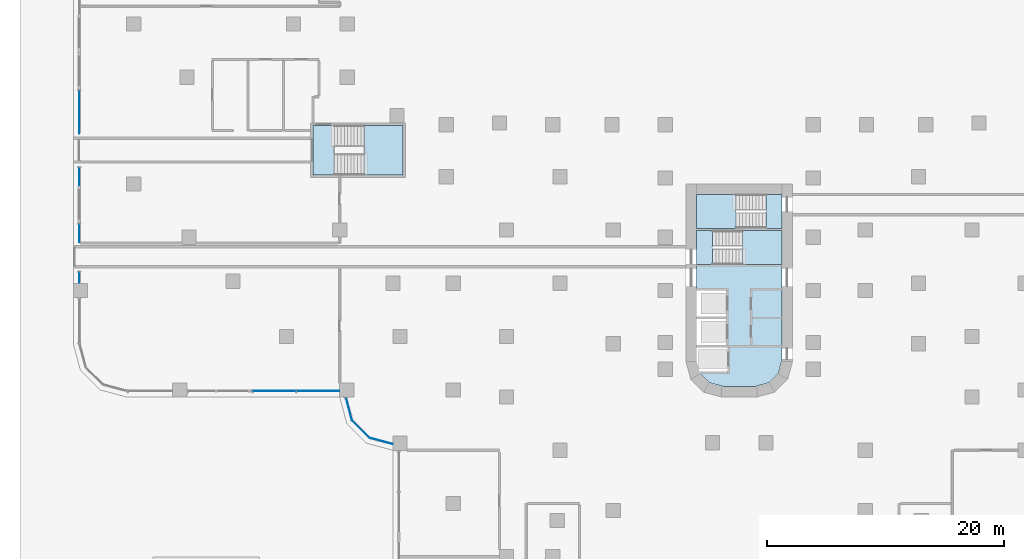
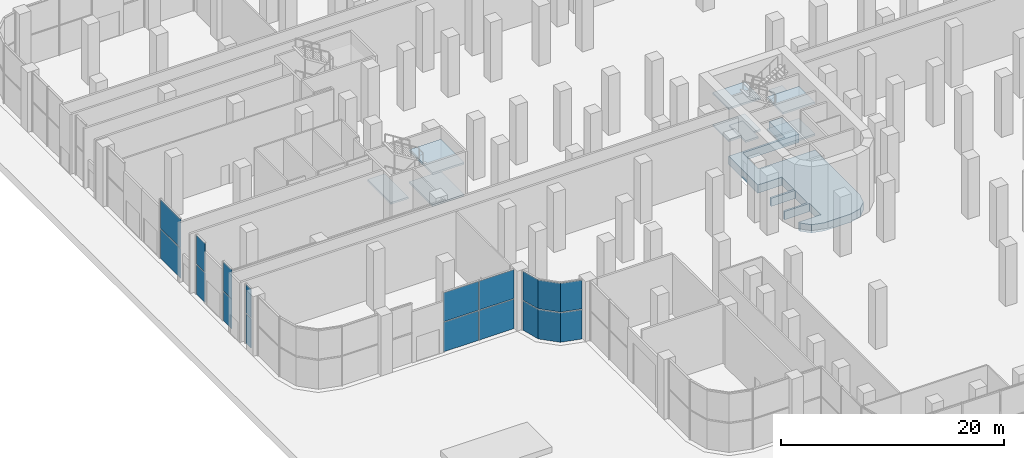
# One storey, part 13 of 34: 18 plates, 10 slabs, 8 elements without a shape of their own.
"""IFC4 building model written with IfcOpenShell, lengths in metres."""

from ifc_helpers import new_model, si_unit, direction, frame, origin, place, context, subcontext, project, spatial, polyline, outline, extrude, source, transform, mapped, material, layer, layer_set, type_object, element, aggregate, save


model = new_model("IFC4")

# Units and contexts
model_context = context("Model", 3, precision=1e-05, world=origin(), true_north=direction((0.0, 1.0)))
body_context = subcontext(model_context, "Body", "Model", "MODEL_VIEW")
ifc_project = project(units=[si_unit("LENGTHUNIT", "METRE"), si_unit("AREAUNIT", "SQUARE_METRE"), si_unit("VOLUMEUNIT", "CUBIC_METRE"), si_unit("PLANEANGLEUNIT", "RADIAN"), si_unit("MASSUNIT", "GRAM", prefix="KILO")], contexts=[model_context])

# Site, building, storey
site_placement = place(None, origin())
site = spatial("IfcSite", under=ifc_project, at=site_placement, CompositionType="ELEMENT")
building_placement = place(site_placement, origin())
building = spatial("IfcBuilding", under=site, at=building_placement, Name="Zarbagh Exchange Tower", CompositionType="ELEMENT")
storey_placement = place(building_placement, origin())
storey = spatial("IfcBuildingStorey", under=building, at=storey_placement, Name="L00", CompositionType="ELEMENT", Elevation=0.0)

# Slab
ifc_material_1 = material(Name="Concrete C50/60", Category="concrete")
ifc_layer_1 = layer(ifc_material_1, 0.89990234375)
ifc_layer_set_1 = layer_set([ifc_layer_1], Name="Core floor slab 900 C50/60")
slab_type_1 = type_object("IfcSlabType", Name="Core floor slab 900 C50/60", PredefinedType="FLOOR", material=ifc_layer_set_1)
slab_1_placement = place(storey_placement, frame((0.0, 0.0, -0.89990234375)))
element("IfcSlab", 1, at=slab_1_placement, inside=storey, type_object=slab_type_1, Name="S15 core S", PredefinedType="FLOOR", context=body_context, shape_type="SweptSolid", body=[
    extrude(outline(polyline([(-2.5341796875, -28.041259765625), (-3.291259765625, -27.2841796875), (-3.340576171875, -27.10009765625), (-1.0, -27.10009765625), (-1.0, -25.050048828125), (-3.60009765625, -25.050048828125), (-3.60009765625, -24.85009765625), (-1.10009765625, -24.85009765625), (-1.10009765625, -22.64990234375), (-3.60009765625, -22.64990234375), (-3.60009765625, -22.449951171875), (-1.10009765625, -22.449951171875), (-1.10009765625, -20.25), (-3.60009765625, -20.25), (-3.60009765625, -15.0), (2.25, -15.0), (2.25, -12.14990234375), (3.60009765625, -12.14990234375), (3.60009765625, -15.199951171875), (-2.25, -15.199951171875), (-2.25, -18.050048828125), (3.60009765625, -18.050048828125), (3.60009765625, -26.131591796875), (3.291259765625, -27.2841796875), (2.5341796875, -28.041259765625), (1.381591796875, -28.35009765625), (-1.381591796875, -28.35009765625), (-2.5341796875, -28.041259765625)])), origin(), (0.0, 0.0, 1.0), 0.89990234375),
])

# Stair, slabs
ifc_material_2 = material(Name="Concrete C40/50", Category="concrete")
stair_type = type_object("IfcStairType", Name="Exit stair two-flight half-turn", PredefinedType="HALF_TURN_STAIR", material=ifc_material_2)
stair_1_placement = place(storey_placement, origin())
stair_1 = element("IfcStair", 2, at=stair_1_placement, inside=storey, type_object=stair_type, Name="exit stair ST3", PredefinedType="HALF_TURN_STAIR")
ifc_layer_2 = layer(ifc_material_2, 0.199951171875)
ifc_layer_set_2 = layer_set([ifc_layer_2], Name="Stair landing 200 mm")
slab_type_2 = type_object("IfcSlabType", Name="Stair landing 200 mm", PredefinedType="LANDING", material=ifc_layer_set_2)
slab_2_placement = place(storey_placement, frame((0.0, 0.0, 1.550048828125)))
slab_2 = element("IfcSlab", 3, at=slab_2_placement, type_object=slab_type_2, Name="ST3 landing 1", PredefinedType="LANDING", context=body_context, shape_type="SweptSolid", body=[
    extrude(outline(polyline([(0.27001953125, -18.050048828125), (3.60009765625, -18.050048828125), (3.60009765625, -15.199951171875), (0.27001953125, -15.199951171875), (0.27001953125, -18.050048828125)])), origin(), (0.0, 0.0, 1.0), 0.199951171875),
])
slab_3_placement = place(storey_placement, frame((0.0, 0.0, 3.300048828125)))
slab_3 = element("IfcSlab", 4, at=slab_3_placement, type_object=slab_type_2, Name="ST3 landing 2", PredefinedType="LANDING", context=body_context, shape_type="SweptSolid", body=[
    extrude(outline(polyline([(-3.60009765625, -18.050048828125), (-2.25, -18.050048828125), (-2.25, -15.199951171875), (-3.60009765625, -15.199951171875), (-3.60009765625, -18.050048828125)])), origin(), (0.0, 0.0, 1.0), 0.199951171875),
])
slab_4_placement = place(storey_placement, frame((0.0, 0.0, 5.050048828125)))
slab_4 = element("IfcSlab", 5, at=slab_4_placement, type_object=slab_type_2, Name="ST3 landing 3", PredefinedType="LANDING", context=body_context, shape_type="SweptSolid", body=[
    extrude(outline(polyline([(0.27001953125, -18.050048828125), (3.60009765625, -18.050048828125), (3.60009765625, -15.199951171875), (0.27001953125, -15.199951171875), (0.27001953125, -18.050048828125)])), origin(), (0.0, 0.0, 1.0), 0.199951171875),
])
aggregate(stair_1, [slab_2, slab_3, slab_4])

stair_2_placement = place(storey_placement, origin())
stair_2 = element("IfcStair", 6, at=stair_2_placement, inside=storey, type_object=stair_type, Name="exit stair ST4", PredefinedType="HALF_TURN_STAIR")
slab_5_placement = place(storey_placement, frame((0.0, 0.0, 1.550048828125)))
slab_5 = element("IfcSlab", 7, at=slab_5_placement, type_object=slab_type_2, Name="ST4 landing 1", PredefinedType="LANDING", context=body_context, shape_type="SweptSolid", body=[
    extrude(outline(polyline([(-0.27001953125, -12.14990234375), (-3.60009765625, -12.14990234375), (-3.60009765625, -15.0), (-0.27001953125, -15.0), (-0.27001953125, -12.14990234375)])), origin(), (0.0, 0.0, 1.0), 0.199951171875),
])
slab_6_placement = place(storey_placement, frame((0.0, 0.0, 3.300048828125)))
slab_6 = element("IfcSlab", 8, at=slab_6_placement, type_object=slab_type_2, Name="ST4 landing 2", PredefinedType="LANDING", context=body_context, shape_type="SweptSolid", body=[
    extrude(outline(polyline([(3.60009765625, -12.14990234375), (2.25, -12.14990234375), (2.25, -15.0), (3.60009765625, -15.0), (3.60009765625, -12.14990234375)])), origin(), (0.0, 0.0, 1.0), 0.199951171875),
])
slab_7_placement = place(storey_placement, frame((0.0, 0.0, 5.050048828125)))
slab_7 = element("IfcSlab", 9, at=slab_7_placement, type_object=slab_type_2, Name="ST4 landing 3", PredefinedType="LANDING", context=body_context, shape_type="SweptSolid", body=[
    extrude(outline(polyline([(-0.27001953125, -12.14990234375), (-3.60009765625, -12.14990234375), (-3.60009765625, -15.0), (-0.27001953125, -15.0), (-0.27001953125, -12.14990234375)])), origin(), (0.0, 0.0, 1.0), 0.199951171875),
])
aggregate(stair_2, [slab_5, slab_6, slab_7])

stair_3_placement = place(storey_placement, origin())
stair_3 = element("IfcStair", 10, at=stair_3_placement, inside=storey, type_object=stair_type, Name="exit stair PS4", PredefinedType="HALF_TURN_STAIR")
slab_8_placement = place(storey_placement, frame((0.0, 0.0, 1.550048828125)))
slab_8 = element("IfcSlab", 11, at=slab_8_placement, type_object=slab_type_2, Name="PS4 landing 1", PredefinedType="LANDING", context=body_context, shape_type="SweptSolid", body=[
    extrude(outline(polyline([(-31.679931640625, -10.5), (-28.39990234375, -10.5), (-28.39990234375, -6.300048828125), (-31.679931640625, -6.300048828125), (-31.679931640625, -10.5)])), origin(), (0.0, 0.0, 1.0), 0.199951171875),
])
slab_9_placement = place(storey_placement, frame((0.0, 0.0, 3.300048828125)))
slab_9 = element("IfcSlab", 12, at=slab_9_placement, type_object=slab_type_2, Name="PS4 landing 2", PredefinedType="LANDING", context=body_context, shape_type="SweptSolid", body=[
    extrude(outline(polyline([(-36.0, -10.5), (-34.199951171875, -10.5), (-34.199951171875, -6.300048828125), (-36.0, -6.300048828125), (-36.0, -10.5)])), origin(), (0.0, 0.0, 1.0), 0.199951171875),
])
slab_10_placement = place(storey_placement, frame((0.0, 0.0, 5.050048828125)))
slab_10 = element("IfcSlab", 13, at=slab_10_placement, type_object=slab_type_2, Name="PS4 landing 3", PredefinedType="LANDING", context=body_context, shape_type="SweptSolid", body=[
    extrude(outline(polyline([(-31.679931640625, -10.5), (-28.39990234375, -10.5), (-28.39990234375, -6.300048828125), (-31.679931640625, -6.300048828125), (-31.679931640625, -10.5)])), origin(), (0.0, 0.0, 1.0), 0.199951171875),
])
aggregate(stair_3, [slab_8, slab_9, slab_10])

# Curtain wall, plates
ifc_material_3 = material(Name="Anodised aluminium frame and glazing", Category="aluminium")
curtain_wall_type = type_object("IfcCurtainWallType", Name="CWC Podium garden-wall glazing", PredefinedType="NOTDEFINED", material=ifc_material_3)
curtain_wall_1_placement = place(storey_placement, origin())
curtain_wall_1 = element("IfcCurtainWall", 14, at=curtain_wall_1_placement, inside=storey, type_object=curtain_wall_type, Name="CWC43 curtain wall", PredefinedType="NOTDEFINED")
ifc_material_4 = material(Name="Low-e double glazed unit, 6+12+6 mm")
ifc_layer_3 = layer(ifc_material_4, 0.031982421875)
ifc_layer_set_3 = layer_set([ifc_layer_3], Name="PAC Glazing panel, Low-e double glazed unit, 6+12+6 mm")
plate_type = type_object("IfcPlateType", Name="PAC Glazing panel, Low-e double glazed unit, 6+12+6 mm", PredefinedType="CURTAIN_PANEL", material=ifc_layer_set_3)
shared_shape_1 = source(origin(), body_context, "Body", "SweptSolid", [
    extrude(outline(polyline([(0.0, -0.01611328125), (2.061279296875, -0.01611328125), (2.061279296875, 0.01611328125), (0.0, 0.01611328125), (0.0, -0.01611328125)])), origin(), (0.0, 0.0, 1.0), 3.235107421875),
])
placement = place(storey_placement, origin())
plate_1 = element("IfcPlate", 15, at=placement, type_object=plate_type, Name="CWC43 glazing panel 1.1", PredefinedType="CURTAIN_PANEL", context=body_context, shape_type="MappedRepresentation", body=[
    mapped(shared_shape_1, transform((-32.69873046875, -31.2412109375, 0.0), x_axis=(0.707106781187, -0.707106781187, 0.0), y_axis=(0.707106781187, 0.707106781187, 0.0), z_axis=(0.0, 0.0, 1.0))),
])
shared_shape_2 = source(origin(), body_context, "Body", "SweptSolid", [
    extrude(outline(polyline([(0.0, -0.01611328125), (2.061279296875, -0.01611328125), (2.061279296875, 0.01611328125), (0.0, 0.01611328125), (0.0, -0.01611328125)])), origin(), (0.0, 0.0, 1.0), 3.155029296875),
])
plate_2 = element("IfcPlate", 16, at=placement, type_object=plate_type, Name="CWC43 glazing panel 1.1", PredefinedType="CURTAIN_PANEL", context=body_context, shape_type="MappedRepresentation", body=[
    mapped(shared_shape_2, transform((-32.69873046875, -31.2412109375, 3.31494140625), x_axis=(0.707106781187, -0.707106781187, 0.0), y_axis=(0.707106781187, 0.707106781187, 0.0), z_axis=(0.0, 0.0, 1.0))),
])
aggregate(curtain_wall_1, [plate_1, plate_2])

curtain_wall_2_placement = place(storey_placement, origin())
curtain_wall_2 = element("IfcCurtainWall", 17, at=curtain_wall_2_placement, inside=storey, type_object=curtain_wall_type, Name="CWC42 curtain wall", PredefinedType="NOTDEFINED")
shared_shape_3 = source(origin(), body_context, "Body", "SweptSolid", [
    extrude(outline(polyline([(0.0, -0.01611328125), (1.93994140625, -0.01611328125), (1.93994140625, 0.01611328125), (0.0, 0.01611328125), (0.0, -0.01611328125)])), origin(), (0.0, 0.0, 1.0), 3.235107421875),
])
plate_3 = element("IfcPlate", 18, at=placement, type_object=plate_type, Name="CWC42 glazing panel 1.1", PredefinedType="CURTAIN_PANEL", context=body_context, shape_type="MappedRepresentation", body=[
    mapped(shared_shape_3, transform((-33.200927734375, -29.367431640625, 0.0), x_axis=(0.258824779902, -0.965924289636, 0.0), y_axis=(0.965924289636, 0.258824779902, 0.0), z_axis=(0.0, 0.0, 1.0))),
])
shared_shape_4 = source(origin(), body_context, "Body", "SweptSolid", [
    extrude(outline(polyline([(0.0, -0.01611328125), (1.93994140625, -0.01611328125), (1.93994140625, 0.01611328125), (0.0, 0.01611328125), (0.0, -0.01611328125)])), origin(), (0.0, 0.0, 1.0), 3.155029296875),
])
plate_4 = element("IfcPlate", 19, at=placement, type_object=plate_type, Name="CWC42 glazing panel 1.1", PredefinedType="CURTAIN_PANEL", context=body_context, shape_type="MappedRepresentation", body=[
    mapped(shared_shape_4, transform((-33.200927734375, -29.367431640625, 3.31494140625), x_axis=(0.258824779902, -0.965924289636, 0.0), y_axis=(0.965924289636, 0.258824779902, 0.0), z_axis=(0.0, 0.0, 1.0))),
])
aggregate(curtain_wall_2, [plate_3, plate_4])

curtain_wall_3_placement = place(storey_placement, origin())
curtain_wall_3 = element("IfcCurtainWall", 20, at=curtain_wall_3_placement, inside=storey, type_object=curtain_wall_type, Name="CWC44 curtain wall", PredefinedType="NOTDEFINED")
shared_shape_5 = source(origin(), body_context, "Body", "SweptSolid", [
    extrude(outline(polyline([(0.0, -0.01611328125), (2.02001953125, -0.01611328125), (2.02001953125, 0.01611328125), (0.0, 0.01611328125), (0.0, -0.01611328125)])), origin(), (0.0, 0.0, 1.0), 3.235107421875),
])
plate_5 = element("IfcPlate", 21, at=placement, type_object=plate_type, Name="CWC44 glazing panel 1.1", PredefinedType="CURTAIN_PANEL", context=body_context, shape_type="MappedRepresentation", body=[
    mapped(shared_shape_5, transform((-31.2412109375, -32.69873046875, 0.0), x_axis=(0.965924289636, -0.258824779902, 0.0), y_axis=(0.258824779902, 0.965924289636, 0.0), z_axis=(0.0, 0.0, 1.0))),
])
shared_shape_6 = source(origin(), body_context, "Body", "SweptSolid", [
    extrude(outline(polyline([(0.0, -0.01611328125), (2.02001953125, -0.01611328125), (2.02001953125, 0.01611328125), (0.0, 0.01611328125), (0.0, -0.01611328125)])), origin(), (0.0, 0.0, 1.0), 3.155029296875),
])
plate_6 = element("IfcPlate", 22, at=placement, type_object=plate_type, Name="CWC44 glazing panel 1.1", PredefinedType="CURTAIN_PANEL", context=body_context, shape_type="MappedRepresentation", body=[
    mapped(shared_shape_6, transform((-31.2412109375, -32.69873046875, 3.31494140625), x_axis=(0.965924289636, -0.258824779902, 0.0), y_axis=(0.258824779902, 0.965924289636, 0.0), z_axis=(0.0, 0.0, 1.0))),
])
aggregate(curtain_wall_3, [plate_5, plate_6])

curtain_wall_4_placement = place(storey_placement, origin())
curtain_wall_4 = element("IfcCurtainWall", 23, at=curtain_wall_4_placement, inside=storey, type_object=curtain_wall_type, Name="CWC37 curtain wall", PredefinedType="NOTDEFINED")
shared_shape_7 = source(origin(), body_context, "Body", "SweptSolid", [
    extrude(outline(polyline([(0.0, -0.01611328125), (3.630126953125, -0.01611328125), (3.630126953125, 0.01611328125), (0.0, 0.01611328125), (0.0, -0.01611328125)])), origin(), (0.0, 0.0, 1.0), 3.235107421875),
])
plate_7 = element("IfcPlate", 24, at=placement, type_object=plate_type, Name="CWC37 glazing panel 5.1", PredefinedType="CURTAIN_PANEL", context=body_context, shape_type="MappedRepresentation", body=[
    mapped(shared_shape_7, transform((-55.75, -3.3798828125, 0.0), x_axis=(0.0, -1.0, 0.0), y_axis=(1.0, 0.0, 0.0), z_axis=(0.0, 0.0, 1.0))),
])
shared_shape_8 = source(origin(), body_context, "Body", "SweptSolid", [
    extrude(outline(polyline([(0.0, -0.01611328125), (3.630126953125, -0.01611328125), (3.630126953125, 0.01611328125), (0.0, 0.01611328125), (0.0, -0.01611328125)])), origin(), (0.0, 0.0, 1.0), 3.155029296875),
])
plate_8 = element("IfcPlate", 25, at=placement, type_object=plate_type, Name="CWC37 glazing panel 5.1", PredefinedType="CURTAIN_PANEL", context=body_context, shape_type="MappedRepresentation", body=[
    mapped(shared_shape_8, transform((-55.75, -3.3798828125, 3.31494140625), x_axis=(0.0, -1.0, 0.0), y_axis=(1.0, 0.0, 0.0), z_axis=(0.0, 0.0, 1.0))),
])
shared_shape_9 = source(origin(), body_context, "Body", "SweptSolid", [
    extrude(outline(polyline([(0.0, -0.01611328125), (1.5048828125, -0.01611328125), (1.5048828125, 0.01611328125), (0.0, 0.01611328125), (0.0, -0.01611328125)])), origin(), (0.0, 0.0, 1.0), 3.235107421875),
])
plate_9 = element("IfcPlate", 26, at=placement, type_object=plate_type, Name="CWC37 glazing panel 6.1", PredefinedType="CURTAIN_PANEL", context=body_context, shape_type="MappedRepresentation", body=[
    mapped(shared_shape_9, transform((-55.75, -9.8701171875, 0.0), x_axis=(0.0, -1.0, 0.0), y_axis=(1.0, 0.0, 0.0), z_axis=(0.0, 0.0, 1.0))),
])
shared_shape_10 = source(origin(), body_context, "Body", "SweptSolid", [
    extrude(outline(polyline([(0.0, -0.01611328125), (1.5048828125, -0.01611328125), (1.5048828125, 0.01611328125), (0.0, 0.01611328125), (0.0, -0.01611328125)])), origin(), (0.0, 0.0, 1.0), 3.155029296875),
])
plate_10 = element("IfcPlate", 27, at=placement, type_object=plate_type, Name="CWC37 glazing panel 6.1", PredefinedType="CURTAIN_PANEL", context=body_context, shape_type="MappedRepresentation", body=[
    mapped(shared_shape_10, transform((-55.75, -9.8701171875, 3.31494140625), x_axis=(0.0, -1.0, 0.0), y_axis=(1.0, 0.0, 0.0), z_axis=(0.0, 0.0, 1.0))),
])
shared_shape_11 = source(origin(), body_context, "Body", "SweptSolid", [
    extrude(outline(polyline([(0.0, -0.01611328125), (1.505126953125, -0.01611328125), (1.505126953125, 0.01611328125), (0.0, 0.01611328125), (0.0, -0.01611328125)])), origin(), (0.0, 0.0, 1.0), 3.235107421875),
])
plate_11 = element("IfcPlate", 28, at=placement, type_object=plate_type, Name="CWC37 glazing panel 7.1", PredefinedType="CURTAIN_PANEL", context=body_context, shape_type="MappedRepresentation", body=[
    mapped(shared_shape_11, transform((-55.75, -14.655029296875, 0.0), x_axis=(0.0, -1.0, 0.0), y_axis=(1.0, 0.0, 0.0), z_axis=(0.0, 0.0, 1.0))),
])
shared_shape_12 = source(origin(), body_context, "Body", "SweptSolid", [
    extrude(outline(polyline([(0.0, -0.01611328125), (1.505126953125, -0.01611328125), (1.505126953125, 0.01611328125), (0.0, 0.01611328125), (0.0, -0.01611328125)])), origin(), (0.0, 0.0, 1.0), 3.155029296875),
])
plate_12 = element("IfcPlate", 29, at=placement, type_object=plate_type, Name="CWC37 glazing panel 7.1", PredefinedType="CURTAIN_PANEL", context=body_context, shape_type="MappedRepresentation", body=[
    mapped(shared_shape_12, transform((-55.75, -14.655029296875, 3.31494140625), x_axis=(0.0, -1.0, 0.0), y_axis=(1.0, 0.0, 0.0), z_axis=(0.0, 0.0, 1.0))),
])
shared_shape_13 = source(origin(), body_context, "Body", "SweptSolid", [
    extrude(outline(polyline([(0.0, -0.01611328125), (0.889892578125, -0.01611328125), (0.889892578125, 0.01611328125), (0.0, 0.01611328125), (0.0, -0.01611328125)])), origin(), (0.0, 0.0, 1.0), 3.235107421875),
])
plate_13 = element("IfcPlate", 30, at=placement, type_object=plate_type, Name="CWC37 glazing panel 8.1", PredefinedType="CURTAIN_PANEL", context=body_context, shape_type="MappedRepresentation", body=[
    mapped(shared_shape_13, transform((-55.75, -18.719970703125, 0.0), x_axis=(0.0, -1.0, 0.0), y_axis=(1.0, 0.0, 0.0), z_axis=(0.0, 0.0, 1.0))),
])
shared_shape_14 = source(origin(), body_context, "Body", "SweptSolid", [
    extrude(outline(polyline([(0.0, -0.01611328125), (0.889892578125, -0.01611328125), (0.889892578125, 0.01611328125), (0.0, 0.01611328125), (0.0, -0.01611328125)])), origin(), (0.0, 0.0, 1.0), 3.155029296875),
])
plate_14 = element("IfcPlate", 31, at=placement, type_object=plate_type, Name="CWC37 glazing panel 8.1", PredefinedType="CURTAIN_PANEL", context=body_context, shape_type="MappedRepresentation", body=[
    mapped(shared_shape_14, transform((-55.75, -18.719970703125, 3.31494140625), x_axis=(0.0, -1.0, 0.0), y_axis=(1.0, 0.0, 0.0), z_axis=(0.0, 0.0, 1.0))),
])
aggregate(curtain_wall_4, [plate_7, plate_8, plate_9, plate_10, plate_11, plate_12, plate_13, plate_14])

curtain_wall_5_placement = place(storey_placement, origin())
curtain_wall_5 = element("IfcCurtainWall", 32, at=curtain_wall_5_placement, inside=storey, type_object=curtain_wall_type, Name="CWC41 curtain wall", PredefinedType="NOTDEFINED")
shared_shape_15 = source(origin(), body_context, "Body", "SweptSolid", [
    extrude(outline(polyline([(0.0, -0.01611328125), (3.60009765625, -0.01611328125), (3.60009765625, 0.01611328125), (0.0, 0.01611328125), (0.0, -0.01611328125)])), origin(), (0.0, 0.0, 1.0), 3.235107421875),
])
plate_15 = element("IfcPlate", 33, at=placement, type_object=plate_type, Name="CWC41 glazing panel 3.1", PredefinedType="CURTAIN_PANEL", context=body_context, shape_type="MappedRepresentation", body=[
    mapped(shared_shape_15, transform((-41.070068359375, -28.75, 0.0), x_axis=(1.0, 0.0, 0.0), y_axis=(0.0, 1.0, 0.0), z_axis=(0.0, 0.0, 1.0))),
])
plate_16 = element("IfcPlate", 34, at=placement, type_object=plate_type, Name="CWC41 glazing panel 3.2", PredefinedType="CURTAIN_PANEL", context=body_context, shape_type="MappedRepresentation", body=[
    mapped(shared_shape_15, transform((-37.389892578125, -28.75, 0.0), x_axis=(1.0, 0.0, 0.0), y_axis=(0.0, 1.0, 0.0), z_axis=(0.0, 0.0, 1.0))),
])
shared_shape_16 = source(origin(), body_context, "Body", "SweptSolid", [
    extrude(outline(polyline([(0.0, -0.01611328125), (3.60009765625, -0.01611328125), (3.60009765625, 0.01611328125), (0.0, 0.01611328125), (0.0, -0.01611328125)])), origin(), (0.0, 0.0, 1.0), 3.155029296875),
])
plate_17 = element("IfcPlate", 35, at=placement, type_object=plate_type, Name="CWC41 glazing panel 3.1", PredefinedType="CURTAIN_PANEL", context=body_context, shape_type="MappedRepresentation", body=[
    mapped(shared_shape_16, transform((-41.070068359375, -28.75, 3.31494140625), x_axis=(1.0, 0.0, 0.0), y_axis=(0.0, 1.0, 0.0), z_axis=(0.0, 0.0, 1.0))),
])
plate_18 = element("IfcPlate", 36, at=placement, type_object=plate_type, Name="CWC41 glazing panel 3.2", PredefinedType="CURTAIN_PANEL", context=body_context, shape_type="MappedRepresentation", body=[
    mapped(shared_shape_16, transform((-37.389892578125, -28.75, 3.31494140625), x_axis=(1.0, 0.0, 0.0), y_axis=(0.0, 1.0, 0.0), z_axis=(0.0, 0.0, 1.0))),
])
aggregate(curtain_wall_5, [plate_15, plate_17, plate_16, plate_18])

save(model, "model.ifc")
